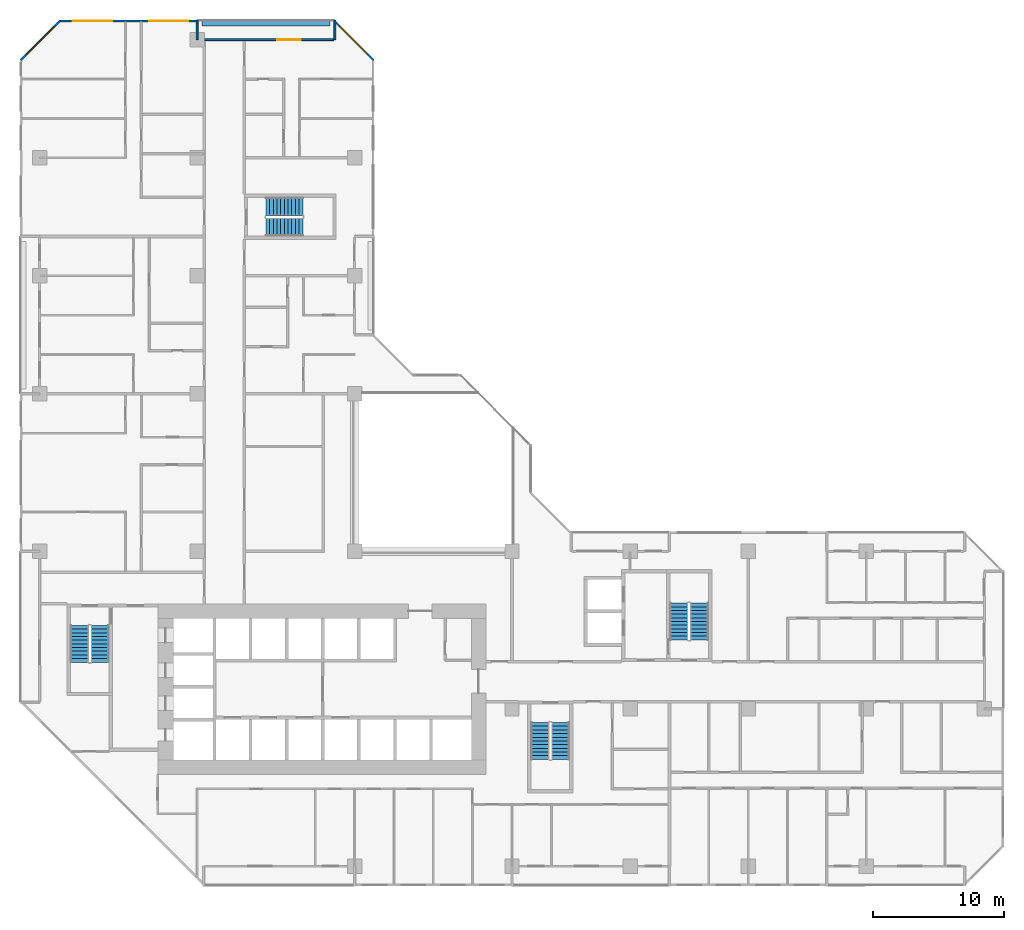
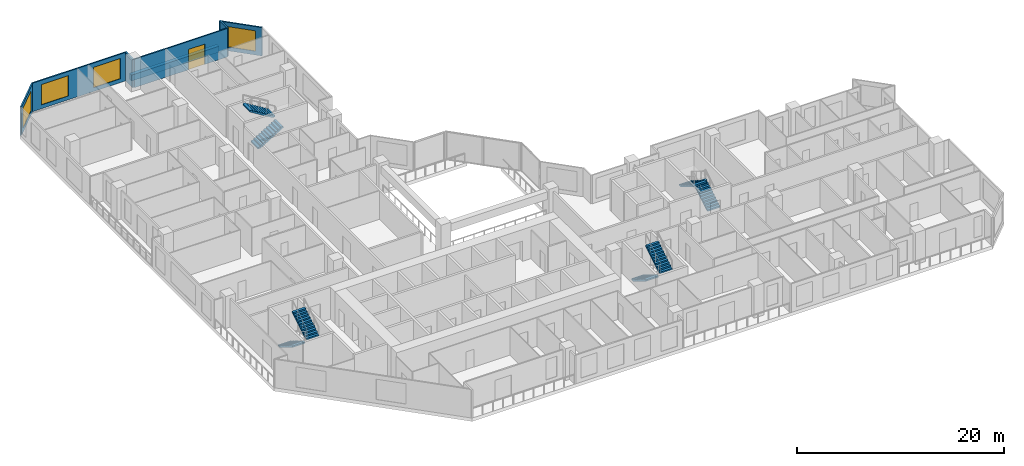
# One storey, part 14 of 16: 8 stair flights, 7 walls, 4 windows, 1 door, 5 openings, 4 elements without a shape of their own.
"""IFC4 building model written with IfcOpenShell, lengths in metres."""

import ifcopenshell
import ifcopenshell.guid

model = None  # the IFC model being written
_history = None  # IfcOwnerHistory: only IFC2X3 demands one
_inside = {}  # id of a spatial element -> (the spatial element, [elements in it])
_under = {}  # id of a project, library or spatial element -> (it, [spatial elements below it])
_declared = {}  # id of a project -> (the project, [libraries it declares])
_typed = {}  # id of a type object -> (the type object, [elements of that type])
_made_of = {}  # id of a material, layer set ... -> (it, [elements and type objects made of it])


def new_model(schema):
    """Start an empty IFC model of exactly this schema.

    Asked for "IFC4X3", IfcOpenShell would pick the latest addendum, in which some entities
    have other attributes; the version numbers below select the first issue.
    IFC2X3 requires an IfcOwnerHistory on every rooted entity: one is made here for all.
    """
    global model, _history
    if schema == "IFC4X3":
        model = ifcopenshell.file(schema_version=(4, 3, 0, 0))
    else:
        model = ifcopenshell.file(schema=schema)
    _inside.clear()
    _under.clear()
    _declared.clear()
    _typed.clear()
    _made_of.clear()
    _history = None
    if model.schema == "IFC2X3":
        org = make("IfcOrganization", Name="unknown")
        user = make(
            "IfcPersonAndOrganization",
            ThePerson=make("IfcPerson", FamilyName="unknown"),
            TheOrganization=org,
        )
        app = make(
            "IfcApplication",
            ApplicationDeveloper=org,
            Version="unknown",
            ApplicationFullName="unknown",
            ApplicationIdentifier="unknown",
        )
        _history = make(
            "IfcOwnerHistory",
            OwningUser=user,
            OwningApplication=app,
            ChangeAction="ADDED",
            CreationDate=0,
        )
    return model


def make(cls, **values):
    """One entity of the class cls with the attributes given. An attribute that is None is left unset."""
    return model.create_entity(
        cls, **{name: value for name, value in values.items() if value is not None}
    )


def rooted(cls, **values):
    """An entity with a GlobalId (a new one), such as an element, a storey or a relation."""
    return make(cls, GlobalId=ifcopenshell.guid.new(), OwnerHistory=_history, **values)


def si_unit(unit_type, name, prefix=None):
    """IfcSIUnit, for example si_unit("LENGTHUNIT", "METRE", prefix="MILLI")."""
    return make("IfcSIUnit", UnitType=unit_type, Prefix=prefix, Name=name)


def assignment(units):
    """IfcUnitAssignment: the units of a project."""
    return None if units is None else make("IfcUnitAssignment", Units=units)


def point(xyz):
    """IfcCartesianPoint."""
    return None if xyz is None else make("IfcCartesianPoint", Coordinates=xyz)


def direction(xyz):
    """IfcDirection."""
    return None if xyz is None else make("IfcDirection", DirectionRatios=xyz)


def frame(location, z_axis=None, x_axis=None):
    """IfcAxis2Placement3D, a coordinate frame: its origin and axes. An axis left out is left unset."""
    return make(
        "IfcAxis2Placement3D",
        Location=point(location),
        Axis=direction(z_axis),
        RefDirection=direction(x_axis),
    )


def frame_2d(location, x_axis=None):
    """IfcAxis2Placement2D, a coordinate frame in the plane: its origin and x axis."""
    return make(
        "IfcAxis2Placement2D", Location=point(location), RefDirection=direction(x_axis)
    )


def origin():
    """The frame at (0, 0, 0) with its axes left unset."""
    return frame((0.0, 0.0, 0.0))


def place(relative_to, where):
    """IfcLocalPlacement: puts the frame where relative to a parent placement (None: the world)."""
    return make(
        "IfcLocalPlacement", PlacementRelTo=relative_to, RelativePlacement=where
    )


def context(
    kind, dimensions, precision=None, world=None, true_north=None, identifier=None
):
    """IfcGeometricRepresentationContext, for example the 3D "Model" context."""
    return make(
        "IfcGeometricRepresentationContext",
        ContextIdentifier=identifier,
        ContextType=kind,
        CoordinateSpaceDimension=dimensions,
        Precision=precision,
        WorldCoordinateSystem=world,
        TrueNorth=true_north,
    )


def subcontext(parent, identifier, kind, view, scale=None):
    """IfcGeometricRepresentationSubContext, for example "Body" below "Model"."""
    return make(
        "IfcGeometricRepresentationSubContext",
        ContextIdentifier=identifier,
        ContextType=kind,
        ParentContext=parent,
        TargetScale=scale,
        TargetView=view,
    )


def project(units=None, contexts=None):
    """IfcProject with its units and contexts."""
    return rooted(
        "IfcProject",
        Name="project",
        RepresentationContexts=contexts,
        UnitsInContext=assignment(units),
    )


def spatial(cls, under=None, at=None, **own):
    """A site, building, storey or space (cls), placed at a placement, below another one or the project."""
    s = rooted(cls, ObjectPlacement=at, **own)
    if under is not None:
        _under.setdefault(under.id(), (under, []))[1].append(s)
    return s


def polyline(points):
    """IfcPolyline through the points."""
    return make("IfcPolyline", Points=[point(p) for p in points])


def profile(cls, at=None, kind="AREA", **sizes):
    """A parametric profile (cls). Its sizes go by their IFC names, for example OverallWidth=200.0."""
    return make(cls, ProfileType=kind, Position=at, **sizes)


def rectangle(**sizes):
    """IfcRectangleProfileDef."""
    return profile("IfcRectangleProfileDef", **sizes)


def outline(outer, holes=None, kind="AREA"):
    """IfcArbitraryClosedProfileDef: a profile drawn as a closed curve; with holes, ...WithVoids."""
    if holes is None:
        return make("IfcArbitraryClosedProfileDef", ProfileType=kind, OuterCurve=outer)
    return make(
        "IfcArbitraryProfileDefWithVoids",
        ProfileType=kind,
        OuterCurve=outer,
        InnerCurves=holes,
    )


def extrude(swept, where, along, depth):
    """IfcExtrudedAreaSolid: the profile swept, set in the frame where, extruded along a direction by depth."""
    return make(
        "IfcExtrudedAreaSolid",
        SweptArea=swept,
        Position=where,
        ExtrudedDirection=direction(along),
        Depth=depth,
    )


def shape(context_of_items, identifier, shape_type, items):
    """IfcShapeRepresentation: the items that make up one representation, for example the "Body"."""
    return make(
        "IfcShapeRepresentation",
        ContextOfItems=context_of_items,
        RepresentationIdentifier=identifier,
        RepresentationType=shape_type,
        Items=items,
    )


def material(Name=None, Category=None):
    """IfcMaterial."""
    return make("IfcMaterial", Name=Name, Category=Category)


def layer(
    of_material, thickness, ventilated=None, Name=None, Category=None, Priority=None
):
    """IfcMaterialLayer: one layer of a wall or slab, of a material (None: an air gap)."""
    return make(
        "IfcMaterialLayer",
        Material=of_material,
        LayerThickness=thickness,
        IsVentilated=ventilated,
        Name=Name,
        Category=Category,
        Priority=Priority,
    )


def layer_set(layers, Name=None):
    """IfcMaterialLayerSet."""
    return make("IfcMaterialLayerSet", MaterialLayers=layers, LayerSetName=Name)


def made_of(thing, what):
    """Note that an element or type object is made of a material, layer set ...; save() writes the relation."""
    if what is not None:
        _made_of.setdefault(what.id(), (what, []))[1].append(thing)
    return thing


def type_object(cls, material=None, **own):
    """A type object (cls), such as IfcWallType, which elements share."""
    return made_of(rooted(cls, **own), material)


def element(
    cls,
    number,
    at=None,
    inside=None,
    cuts=None,
    type_object=None,
    material=None,
    context=None,
    identifier="Body",
    shape_type=None,
    held_by="IfcProductDefinitionShape",
    body=None,
    shapes=None,
    **own,
):
    """One element of the class cls, such as IfcWall. Its Tag is "e" and its number.

    at: its placement. inside: the storey or other place that contains it. cuts: it is an
    opening in that element (IfcRelVoidsElement). A single representation is given by context,
    identifier, shape_type and body (its items); several are given by shapes. held_by: the class
    of the entity that holds the representations. save() writes the other relations.
    """
    e = rooted(cls, Tag="e%d" % number, ObjectPlacement=at, **own)
    if body is not None:
        shapes = [shape(context, identifier, shape_type, body)]
    if shapes is not None:
        e.Representation = make(held_by, Representations=shapes)
    if inside is not None:
        _inside.setdefault(inside.id(), (inside, []))[1].append(e)
    if cuts is not None:
        rooted(
            "IfcRelVoidsElement", RelatingBuildingElement=cuts, RelatedOpeningElement=e
        )
    if type_object is not None:
        _typed.setdefault(type_object.id(), (type_object, []))[1].append(e)
    return made_of(e, material)


def fill(opening, filler):
    """IfcRelFillsElement: the door or window that sits in an opening."""
    return rooted(
        "IfcRelFillsElement",
        RelatingOpeningElement=opening,
        RelatedBuildingElement=filler,
    )


def aggregate(whole, parts):
    """IfcRelAggregates: a whole, such as a stair, and the parts it consists of."""
    return rooted("IfcRelAggregates", RelatingObject=whole, RelatedObjects=parts)


def save(model, path):
    """Write the relations noted so far, then the file.

    IfcRelAggregates (storeys below a building ...), IfcRelContainedInSpatialStructure (elements
    in a storey), IfcRelDefinesByType, IfcRelAssociatesMaterial and IfcRelDeclares: one each for
    every whole, place, type object, material and project.
    """
    for whole, parts in _under.values():
        aggregate(whole, parts)
    for where, things in _inside.values():
        rooted(
            "IfcRelContainedInSpatialStructure",
            RelatedElements=things,
            RelatingStructure=where,
        )
    for kind, things in _typed.values():
        rooted("IfcRelDefinesByType", RelatedObjects=things, RelatingType=kind)
    for what, things in _made_of.values():
        rooted("IfcRelAssociatesMaterial", RelatedObjects=things, RelatingMaterial=what)
    for by, libraries in _declared.values():
        rooted("IfcRelDeclares", RelatingContext=by, RelatedDefinitions=libraries)
    model.write(path)


model = new_model("IFC4")

# Units and contexts
model_context = context("Model", 3, precision=1e-05, world=origin(), true_north=direction((0.0, 1.0)))
body_context = subcontext(model_context, "Body", "Model", "MODEL_VIEW")
ifc_project = project(units=[si_unit("LENGTHUNIT", "METRE"), si_unit("AREAUNIT", "SQUARE_METRE"), si_unit("VOLUMEUNIT", "CUBIC_METRE"), si_unit("PLANEANGLEUNIT", "RADIAN"), si_unit("MASSUNIT", "GRAM", prefix="KILO")], contexts=[model_context])

# Site, building, storey
site_placement = place(None, origin())
site = spatial("IfcSite", under=ifc_project, at=site_placement, CompositionType="ELEMENT")
building_placement = place(site_placement, origin())
building = spatial("IfcBuilding", under=site, at=building_placement, Name="Chenar Terraces", CompositionType="ELEMENT")
storey_placement = place(building_placement, frame((0.0, 0.0, 75.14990234375)))
storey = spatial("IfcBuildingStorey", under=building, at=storey_placement, Name="L16", CompositionType="ELEMENT", Elevation=75.14990234375)

# Wall, openings, windows
ifc_material_1 = material(Name="Aluminium framed glazing", Category="aluminium")
ifc_layer_1 = layer(ifc_material_1, 0.14990234375)
ifc_layer_set_1 = layer_set([ifc_layer_1], Name="Aluminium framed glazing")
wall_type_1 = type_object("IfcWallType", Name="Glazed flush facade wall 150", PredefinedType="SOLIDWALL", material=ifc_layer_set_1)
wall_1_placement = place(storey_placement, frame((11.925048828125, 64.425048828125, 0.0), z_axis=(0.0, 0.0, 1.0), x_axis=(-1.0, 0.0, 0.0)))
wall_1 = element("IfcWall", 1, at=wall_1_placement, inside=storey, type_object=wall_type_1, Name="Glazed flush facade wall", PredefinedType="SOLIDWALL", context=body_context, shape_type="SweptSolid", body=[
    extrude(rectangle(XDim=10.425048828125, YDim=0.14990234375, at=frame_2d((5.21240234375, 0.0))), origin(), (0.0, 0.0, 1.0), 3.35009765625),
])
opening_1_placement = place(wall_1_placement, frame((0.58740234375, 0.0, 0.449951171875)))
opening_1 = element("IfcOpeningElement", 2, at=opening_1_placement, cuts=wall_1, Name="Opening W300x240", PredefinedType="OPENING", context=body_context, shape_type="SweptSolid", body=[
    extrude(rectangle(XDim=3.0, YDim=2.39990234375, at=frame_2d((1.5, 1.199951171875))), frame((0.0, 0.0849609375, 0.0), z_axis=(0.0, -1.0, 0.0), x_axis=(1.0, 0.0, 0.0)), (0.0, 0.0, 1.0), 0.169921875),
])
opening_2_placement = place(wall_1_placement, frame((6.39990234375, 0.0, 0.449951171875)))
opening_2 = element("IfcOpeningElement", 3, at=opening_2_placement, cuts=wall_1, Name="Opening W300x240", PredefinedType="OPENING", context=body_context, shape_type="SweptSolid", body=[
    extrude(rectangle(XDim=3.0, YDim=2.39990234375, at=frame_2d((1.5, 1.199951171875))), frame((0.0, 0.0849609375, 0.0), z_axis=(0.0, -1.0, 0.0), x_axis=(1.0, 0.0, 0.0)), (0.0, 0.0, 1.0), 0.169921875),
])
ifc_material_2 = material(Name="Low emissivity double glazing, aluminium frame", Category="aluminium")
window_type = type_object("IfcWindowType", Name="Fixed light 3000 x 2400", PartitioningType="SINGLE_PANEL", PredefinedType="WINDOW", material=ifc_material_2)
window_1_placement = place(opening_1_placement, origin())
window_1 = element("IfcWindow", 4, at=window_1_placement, inside=storey, type_object=window_type, Name="Window", OverallHeight=2.39990234375, OverallWidth=3.0, PartitioningType="SINGLE_PANEL", PredefinedType="WINDOW", context=body_context, shape_type="SweptSolid", body=[
    extrude(rectangle(XDim=3.0, YDim=2.39990234375, at=frame_2d((1.5, 1.199951171875))), frame((0.0, 0.030029296875, 0.0), z_axis=(0.0, -1.0, 0.0), x_axis=(1.0, 0.0, 0.0)), (0.0, 0.0, 1.0), 0.06005859375),
])
fill(opening_1, window_1)
window_2_placement = place(opening_2_placement, origin())
window_2 = element("IfcWindow", 5, at=window_2_placement, inside=storey, type_object=window_type, Name="Window", OverallHeight=2.39990234375, OverallWidth=3.0, PartitioningType="SINGLE_PANEL", PredefinedType="WINDOW", context=body_context, shape_type="SweptSolid", body=[
    extrude(rectangle(XDim=3.0, YDim=2.39990234375, at=frame_2d((1.5, 1.199951171875))), frame((0.0, 0.030029296875, 0.0), z_axis=(0.0, -1.0, 0.0), x_axis=(1.0, 0.0, 0.0)), (0.0, 0.0, 1.0), 0.06005859375),
])
fill(opening_2, window_2)

# Wall, opening, door
ifc_material_3 = material(Name="Aluminium framed glazing", Category="aluminium")
ifc_layer_2 = layer(ifc_material_3, 0.14990234375)
ifc_layer_set_2 = layer_set([ifc_layer_2], Name="Aluminium framed glazing")
wall_type_2 = type_object("IfcWallType", Name="Glazed loggia back wall 150", PredefinedType="SOLIDWALL", material=ifc_layer_set_2)
wall_2_placement = place(storey_placement, frame((22.425048828125, 63.0, 0.0), z_axis=(0.0, 0.0, 1.0), x_axis=(-1.0, 0.0, 0.0)))
wall_2 = element("IfcWall", 6, at=wall_2_placement, inside=storey, type_object=wall_type_2, Name="Glazed loggia back wall", PredefinedType="SOLIDWALL", context=body_context, shape_type="SweptSolid", body=[
    extrude(rectangle(XDim=10.35009765625, YDim=0.14990234375, at=frame_2d((5.175048828125, 0.0))), origin(), (0.0, 0.0, 1.0), 3.35009765625),
])
opening_3_placement = place(wall_2_placement, frame((2.512451171875, 0.0, 0.0)))
opening_3 = element("IfcOpeningElement", 7, at=opening_3_placement, cuts=wall_2, Name="Opening DL16-G2", PredefinedType="OPENING", context=body_context, shape_type="SweptSolid", body=[
    extrude(rectangle(XDim=1.800048828125, YDim=2.39990234375, at=frame_2d((0.89990234375, 1.199951171875))), frame((0.0, 0.0849609375, 0.0), z_axis=(0.0, -1.0, 0.0), x_axis=(1.0, 0.0, 0.0)), (0.0, 0.0, 1.0), 0.169921875),
])
ifc_material_4 = material(Name="Low emissivity double glazing, aluminium frame", Category="aluminium")
door_type = type_object("IfcDoorType", Name="Loggia glazed double door 1800 x 2400", OperationType="DOUBLE_DOOR_SINGLE_SWING", PredefinedType="DOOR", material=ifc_material_4)
door_placement = place(opening_3_placement, frame((1.800048828125, 0.0, 0.0), z_axis=(0.0, 0.0, 1.0), x_axis=(-1.0, 0.0, 0.0)))
door = element("IfcDoor", 8, at=door_placement, inside=storey, type_object=door_type, Name="Loggia glazed door", OperationType="DOUBLE_DOOR_SINGLE_SWING", OverallHeight=2.39990234375, OverallWidth=1.800048828125, PredefinedType="DOOR", context=body_context, shape_type="SweptSolid", body=[
    extrude(rectangle(XDim=1.800048828125, YDim=2.39990234375, at=frame_2d((0.89990234375, 1.199951171875))), frame((0.0, 0.02490234375, 0.0), z_axis=(0.0, -1.0, 0.0), x_axis=(1.0, 0.0, 0.0)), (0.0, 0.0, 1.0), 0.050048828125),
])
fill(opening_3, door)

# Walls
ifc_material_5 = material(Name="Terracotta cladding on insulated backing", Category="masonry")
ifc_layer_3 = layer(ifc_material_5, 0.14990234375)
ifc_layer_set_3 = layer_set([ifc_layer_3], Name="Terracotta cladding on insulated backing")
wall_type_3 = type_object("IfcWallType", Name="Loggia return wall 150", PredefinedType="SOLIDWALL", material=ifc_layer_set_3)
for number, where, z_axis, x_axis, name in (
    (9, (22.5, 64.5, 0.0), (0.0, 0.0, 1.0), (0.0, -1.0, 0.0), "Loggia return wall"),
    (10, (12.0, 64.5, 0.0), (0.0, 0.0, 1.0), (0.0, -1.0, 0.0), "Loggia return wall"),
):
    element("IfcWall", number, at=place(storey_placement, frame(where, z_axis=z_axis, x_axis=x_axis)), inside=storey, type_object=wall_type_3, Name=name, PredefinedType="SOLIDWALL", context=body_context, shape_type="SweptSolid", body=[
        extrude(rectangle(XDim=1.5, YDim=0.14990234375, at=frame_2d((0.75, 0.0))), origin(), (0.0, 0.0, 1.0), 3.35009765625),
    ])

# Wall, opening, window
ifc_material_6 = material(Name="Terracotta cladding on insulated backing", Category="masonry")
ifc_layer_4 = layer(ifc_material_6, 0.14990234375)
ifc_layer_set_4 = layer_set([ifc_layer_4], Name="Terracotta cladding on insulated backing")
wall_type_4 = type_object("IfcWallType", Name="Terracotta rainscreen wall 150", PredefinedType="SOLIDWALL", material=ifc_layer_set_4)
wall_3_placement = place(storey_placement, frame((25.447021484375, 61.447021484375, 0.0), z_axis=(0.0, 0.0, 1.0), x_axis=(-0.707106781187, 0.707106781187, 0.0)))
wall_3 = element("IfcWall", 11, at=wall_3_placement, inside=storey, type_object=wall_type_4, Name="Terracotta rainscreen wall", PredefinedType="SOLIDWALL", context=body_context, shape_type="SweptSolid", body=[
    extrude(rectangle(XDim=4.24267578125, YDim=0.14990234375, at=frame_2d((2.121337890625, 0.0))), origin(), (0.0, 0.0, 1.0), 3.35009765625),
])
opening_4_placement = place(wall_3_placement, frame((0.621337890625, 0.0, 0.449951171875)))
opening_4 = element("IfcOpeningElement", 12, at=opening_4_placement, cuts=wall_3, Name="Opening W300x240", PredefinedType="OPENING", context=body_context, shape_type="SweptSolid", body=[
    extrude(rectangle(XDim=3.0, YDim=2.39990234375, at=frame_2d((1.5, 1.199951171875))), frame((0.0, 0.0849609375, 0.0), z_axis=(0.0, -1.0, 0.0), x_axis=(1.0, 0.0, 0.0)), (0.0, 0.0, 1.0), 0.169921875),
])
window_3_placement = place(opening_4_placement, origin())
window_3 = element("IfcWindow", 13, at=window_3_placement, inside=storey, type_object=window_type, Name="Window", OverallHeight=2.39990234375, OverallWidth=3.0, PartitioningType="SINGLE_PANEL", PredefinedType="WINDOW", context=body_context, shape_type="SweptSolid", body=[
    extrude(rectangle(XDim=3.0, YDim=2.39990234375, at=frame_2d((1.5, 1.199951171875))), frame((0.0, 0.030029296875, 0.0), z_axis=(0.0, -1.0, 0.0), x_axis=(1.0, 0.0, 0.0)), (0.0, 0.0, 1.0), 0.06005859375),
])
fill(opening_4, window_3)

wall_4_placement = place(storey_placement, frame((1.552978515625, 64.447021484375, 0.0), z_axis=(0.0, 0.0, 1.0), x_axis=(-0.707106781187, -0.707106781187, 0.0)))
wall_4 = element("IfcWall", 14, at=wall_4_placement, inside=storey, type_object=wall_type_4, Name="Terracotta rainscreen wall", PredefinedType="SOLIDWALL", context=body_context, shape_type="SweptSolid", body=[
    extrude(rectangle(XDim=4.24267578125, YDim=0.14990234375, at=frame_2d((2.121337890625, 0.0))), origin(), (0.0, 0.0, 1.0), 3.35009765625),
])
opening_5_placement = place(wall_4_placement, frame((0.621337890625, 0.0, 0.449951171875)))
opening_5 = element("IfcOpeningElement", 15, at=opening_5_placement, cuts=wall_4, Name="Opening W300x240", PredefinedType="OPENING", context=body_context, shape_type="SweptSolid", body=[
    extrude(rectangle(XDim=3.0, YDim=2.39990234375, at=frame_2d((1.5, 1.199951171875))), frame((0.0, 0.0849609375, 0.0), z_axis=(0.0, -1.0, 0.0), x_axis=(1.0, 0.0, 0.0)), (0.0, 0.0, 1.0), 0.169921875),
])
window_4_placement = place(opening_5_placement, origin())
window_4 = element("IfcWindow", 16, at=window_4_placement, inside=storey, type_object=window_type, Name="Window", OverallHeight=2.39990234375, OverallWidth=3.0, PartitioningType="SINGLE_PANEL", PredefinedType="WINDOW", context=body_context, shape_type="SweptSolid", body=[
    extrude(rectangle(XDim=3.0, YDim=2.39990234375, at=frame_2d((1.5, 1.199951171875))), frame((0.0, 0.030029296875, 0.0), z_axis=(0.0, -1.0, 0.0), x_axis=(1.0, 0.0, 0.0)), (0.0, 0.0, 1.0), 0.06005859375),
])
fill(opening_5, window_4)

# Wall
ifc_material_7 = material(Name="GRP planter trough")
ifc_layer_5 = layer(ifc_material_7, 0.39990234375)
ifc_layer_set_5 = layer_set([ifc_layer_5], Name="GRP planter trough")
wall_type_5 = type_object("IfcWallType", Name="Vertical greenery planter 400", PredefinedType="SOLIDWALL", material=ifc_layer_set_5)
wall_5_placement = place(storey_placement, frame((22.125, 64.22900390625, 0.0), z_axis=(0.0, 0.0, 1.0), x_axis=(-1.0, 0.0, 0.0)))
element("IfcWall", 17, at=wall_5_placement, inside=storey, type_object=wall_type_5, Name="Vertical greenery planter", PredefinedType="SOLIDWALL", context=body_context, shape_type="SweptSolid", body=[
    extrude(rectangle(XDim=9.75, YDim=0.39990234375, at=frame_2d((4.875, 0.0))), origin(), (0.0, 0.0, 1.0), 0.7001953125),
])

# Stair, stair flights
ifc_material_8 = material(Name="Reinforced concrete C40/50", Category="concrete")
stair_type = type_object("IfcStairType", Name="Core stair 1400 half-turn", PredefinedType="HALF_TURN_STAIR", material=ifc_material_8)
placement = place(storey_placement, origin())
stair_1 = element("IfcStair", 18, at=placement, inside=storey, type_object=stair_type, Name="L16 Stair 1", PredefinedType="HALF_TURN_STAIR")
ifc_material_9 = material(Name="Reinforced concrete C40/50", Category="concrete")
stair_flight_type = type_object("IfcStairFlightType", Name="Core stair flight 1400", PredefinedType="STRAIGHT", material=ifc_material_9)
stair_flight_1_placement = place(storey_placement, frame((3.050048828125, 18.35009765625, 0.0), z_axis=(0.0, 0.0, 1.0), x_axis=(0.0, -1.0, 0.0)))
stair_flight_1 = element("IfcStairFlight", 19, at=stair_flight_1_placement, type_object=stair_flight_type, Name="ST1 flight 1", NumberOfRisers=11, NumberOfTreads=10, PredefinedType="STRAIGHT", RiserHeight=0.170454545, TreadLength=0.28, context=body_context, shape_type="SweptSolid", body=[
    extrude(outline(polyline([(-0.0029296875, 0.0), (-0.0029296875, 0.17041015625), (0.0, 0.17041015625), (0.280029296875, 0.17041015625), (0.280029296875, 0.3408203125), (0.56005859375, 0.3408203125), (0.56005859375, 0.511474609375), (0.840087890625, 0.511474609375), (0.840087890625, 0.681884765625), (1.1201171875, 0.681884765625), (1.1201171875, 0.852294921875), (1.39990234375, 0.852294921875), (1.39990234375, 1.022705078125), (1.679931640625, 1.022705078125), (1.679931640625, 1.193115234375), (1.9599609375, 1.193115234375), (1.9599609375, 1.363525390625), (2.239990234375, 1.363525390625), (2.239990234375, 1.5341796875), (2.52001953125, 1.5341796875), (2.52001953125, 1.70458984375), (2.800048828125, 1.70458984375), (2.802978515625, 1.70458984375), (2.802978515625, 1.529052734375), (2.800048828125, 1.529052734375), (0.288330078125, 0.0), (-0.0029296875, 0.0)])), frame((0.0, 0.699951171875, 0.0), z_axis=(0.0, -1.0, 0.0), x_axis=(1.0, 0.0, 0.0)), (0.0, 0.0, 1.0), 1.39990234375),
])
stair_flight_2_placement = place(storey_placement, frame((4.60009765625, 15.550048828125, 1.875), z_axis=(0.0, 0.0, 1.0), x_axis=(0.0, 1.0, 0.0)))
stair_flight_2 = element("IfcStairFlight", 20, at=stair_flight_2_placement, type_object=stair_flight_type, Name="ST1 flight 2", NumberOfRisers=11, NumberOfTreads=10, PredefinedType="STRAIGHT", RiserHeight=0.170454545, TreadLength=0.28, context=body_context, shape_type="SweptSolid", body=[
    extrude(outline(polyline([(-0.0029296875, 0.0), (-0.0029296875, 0.17041015625), (0.0, 0.17041015625), (0.280029296875, 0.17041015625), (0.280029296875, 0.3408203125), (0.56005859375, 0.3408203125), (0.56005859375, 0.511474609375), (0.840087890625, 0.511474609375), (0.840087890625, 0.681884765625), (1.1201171875, 0.681884765625), (1.1201171875, 0.852294921875), (1.39990234375, 0.852294921875), (1.39990234375, 1.022705078125), (1.679931640625, 1.022705078125), (1.679931640625, 1.193115234375), (1.9599609375, 1.193115234375), (1.9599609375, 1.363525390625), (2.239990234375, 1.363525390625), (2.239990234375, 1.5341796875), (2.52001953125, 1.5341796875), (2.52001953125, 1.70458984375), (2.800048828125, 1.70458984375), (2.802978515625, 1.70458984375), (2.802978515625, 1.529052734375), (2.800048828125, 1.529052734375), (0.288330078125, 0.0), (-0.0029296875, 0.0)])), frame((0.0, 0.699951171875, 0.0), z_axis=(0.0, -1.0, 0.0), x_axis=(1.0, 0.0, 0.0)), (0.0, 0.0, 1.0), 1.39990234375),
])
aggregate(stair_1, [stair_flight_1, stair_flight_2])

stair_2 = element("IfcStair", 21, at=placement, inside=storey, type_object=stair_type, Name="L16 Stair 2", PredefinedType="HALF_TURN_STAIR")
stair_flight_3_placement = place(storey_placement, frame((38.14990234375, 10.949951171875, 0.0), z_axis=(0.0, 0.0, 1.0), x_axis=(0.0, -1.0, 0.0)))
stair_flight_3 = element("IfcStairFlight", 22, at=stair_flight_3_placement, type_object=stair_flight_type, Name="ST2 flight 1", NumberOfRisers=11, NumberOfTreads=10, PredefinedType="STRAIGHT", RiserHeight=0.170454545, TreadLength=0.28, context=body_context, shape_type="SweptSolid", body=[
    extrude(outline(polyline([(-0.0029296875, 0.0), (-0.0029296875, 0.17041015625), (0.0, 0.17041015625), (0.280029296875, 0.17041015625), (0.280029296875, 0.3408203125), (0.56005859375, 0.3408203125), (0.56005859375, 0.511474609375), (0.840087890625, 0.511474609375), (0.840087890625, 0.681884765625), (1.1201171875, 0.681884765625), (1.1201171875, 0.852294921875), (1.39990234375, 0.852294921875), (1.39990234375, 1.022705078125), (1.679931640625, 1.022705078125), (1.679931640625, 1.193115234375), (1.9599609375, 1.193115234375), (1.9599609375, 1.363525390625), (2.239990234375, 1.363525390625), (2.239990234375, 1.5341796875), (2.52001953125, 1.5341796875), (2.52001953125, 1.70458984375), (2.800048828125, 1.70458984375), (2.802978515625, 1.70458984375), (2.802978515625, 1.529052734375), (2.800048828125, 1.529052734375), (0.288330078125, 0.0), (-0.0029296875, 0.0)])), frame((0.0, 0.699951171875, 0.0), z_axis=(0.0, -1.0, 0.0), x_axis=(1.0, 0.0, 0.0)), (0.0, 0.0, 1.0), 1.39990234375),
])
stair_flight_4_placement = place(storey_placement, frame((39.699951171875, 8.14990234375, 1.875), z_axis=(0.0, 0.0, 1.0), x_axis=(0.0, 1.0, 0.0)))
stair_flight_4 = element("IfcStairFlight", 23, at=stair_flight_4_placement, type_object=stair_flight_type, Name="ST2 flight 2", NumberOfRisers=11, NumberOfTreads=10, PredefinedType="STRAIGHT", RiserHeight=0.170454545, TreadLength=0.28, context=body_context, shape_type="SweptSolid", body=[
    extrude(outline(polyline([(-0.0029296875, 0.0), (-0.0029296875, 0.17041015625), (0.0, 0.17041015625), (0.280029296875, 0.17041015625), (0.280029296875, 0.3408203125), (0.56005859375, 0.3408203125), (0.56005859375, 0.511474609375), (0.840087890625, 0.511474609375), (0.840087890625, 0.681884765625), (1.1201171875, 0.681884765625), (1.1201171875, 0.852294921875), (1.39990234375, 0.852294921875), (1.39990234375, 1.022705078125), (1.679931640625, 1.022705078125), (1.679931640625, 1.193115234375), (1.9599609375, 1.193115234375), (1.9599609375, 1.363525390625), (2.239990234375, 1.363525390625), (2.239990234375, 1.5341796875), (2.52001953125, 1.5341796875), (2.52001953125, 1.70458984375), (2.800048828125, 1.70458984375), (2.802978515625, 1.70458984375), (2.802978515625, 1.529052734375), (2.800048828125, 1.529052734375), (0.288330078125, 0.0), (-0.0029296875, 0.0)])), frame((0.0, 0.699951171875, 0.0), z_axis=(0.0, -1.0, 0.0), x_axis=(1.0, 0.0, 0.0)), (0.0, 0.0, 1.0), 1.39990234375),
])
aggregate(stair_2, [stair_flight_3, stair_flight_4])

stair_3 = element("IfcStair", 24, at=placement, inside=storey, type_object=stair_type, Name="L16 Stair 3", PredefinedType="HALF_TURN_STAIR")
stair_flight_5_placement = place(storey_placement, frame((50.27490234375, 17.25, 0.0), z_axis=(0.0, 0.0, 1.0), x_axis=(0.0, 1.0, 0.0)))
stair_flight_5 = element("IfcStairFlight", 25, at=stair_flight_5_placement, type_object=stair_flight_type, Name="ST3 flight 1", NumberOfRisers=11, NumberOfTreads=10, PredefinedType="STRAIGHT", RiserHeight=0.170454545, TreadLength=0.28, context=body_context, shape_type="SweptSolid", body=[
    extrude(outline(polyline([(-0.0029296875, 0.0), (-0.0029296875, 0.17041015625), (0.0, 0.17041015625), (0.280029296875, 0.17041015625), (0.280029296875, 0.3408203125), (0.56005859375, 0.3408203125), (0.56005859375, 0.511474609375), (0.840087890625, 0.511474609375), (0.840087890625, 0.681884765625), (1.1201171875, 0.681884765625), (1.1201171875, 0.852294921875), (1.39990234375, 0.852294921875), (1.39990234375, 1.022705078125), (1.679931640625, 1.022705078125), (1.679931640625, 1.193115234375), (1.9599609375, 1.193115234375), (1.9599609375, 1.363525390625), (2.239990234375, 1.363525390625), (2.239990234375, 1.5341796875), (2.52001953125, 1.5341796875), (2.52001953125, 1.70458984375), (2.800048828125, 1.70458984375), (2.802978515625, 1.70458984375), (2.802978515625, 1.529052734375), (2.800048828125, 1.529052734375), (0.288330078125, 0.0), (-0.0029296875, 0.0)])), frame((0.0, 0.699951171875, 0.0), z_axis=(0.0, -1.0, 0.0), x_axis=(1.0, 0.0, 0.0)), (0.0, 0.0, 1.0), 1.39990234375),
])
stair_flight_6_placement = place(storey_placement, frame((48.72509765625, 20.050048828125, 1.875), z_axis=(0.0, 0.0, 1.0), x_axis=(0.0, -1.0, 0.0)))
stair_flight_6 = element("IfcStairFlight", 26, at=stair_flight_6_placement, type_object=stair_flight_type, Name="ST3 flight 2", NumberOfRisers=11, NumberOfTreads=10, PredefinedType="STRAIGHT", RiserHeight=0.170454545, TreadLength=0.28, context=body_context, shape_type="SweptSolid", body=[
    extrude(outline(polyline([(-0.0029296875, 0.0), (-0.0029296875, 0.17041015625), (0.0, 0.17041015625), (0.280029296875, 0.17041015625), (0.280029296875, 0.3408203125), (0.56005859375, 0.3408203125), (0.56005859375, 0.511474609375), (0.840087890625, 0.511474609375), (0.840087890625, 0.681884765625), (1.1201171875, 0.681884765625), (1.1201171875, 0.852294921875), (1.39990234375, 0.852294921875), (1.39990234375, 1.022705078125), (1.679931640625, 1.022705078125), (1.679931640625, 1.193115234375), (1.9599609375, 1.193115234375), (1.9599609375, 1.363525390625), (2.239990234375, 1.363525390625), (2.239990234375, 1.5341796875), (2.52001953125, 1.5341796875), (2.52001953125, 1.70458984375), (2.800048828125, 1.70458984375), (2.802978515625, 1.70458984375), (2.802978515625, 1.529052734375), (2.800048828125, 1.529052734375), (0.288330078125, 0.0), (-0.0029296875, 0.0)])), frame((0.0, 0.699951171875, 0.0), z_axis=(0.0, -1.0, 0.0), x_axis=(1.0, 0.0, 0.0)), (0.0, 0.0, 1.0), 1.39990234375),
])
aggregate(stair_3, [stair_flight_5, stair_flight_6])

stair_4 = element("IfcStair", 27, at=placement, inside=storey, type_object=stair_type, Name="L16 Stair 4", PredefinedType="HALF_TURN_STAIR")
stair_flight_7_placement = place(storey_placement, frame((17.25, 48.72509765625, 0.0), z_axis=(0.0, 0.0, 1.0), x_axis=(1.0, 0.0, 0.0)))
stair_flight_7 = element("IfcStairFlight", 28, at=stair_flight_7_placement, type_object=stair_flight_type, Name="ST4 flight 1", NumberOfRisers=11, NumberOfTreads=10, PredefinedType="STRAIGHT", RiserHeight=0.170454545, TreadLength=0.28, context=body_context, shape_type="SweptSolid", body=[
    extrude(outline(polyline([(-0.0029296875, 0.0), (-0.0029296875, 0.17041015625), (0.0, 0.17041015625), (0.280029296875, 0.17041015625), (0.280029296875, 0.3408203125), (0.56005859375, 0.3408203125), (0.56005859375, 0.511474609375), (0.840087890625, 0.511474609375), (0.840087890625, 0.681884765625), (1.1201171875, 0.681884765625), (1.1201171875, 0.852294921875), (1.39990234375, 0.852294921875), (1.39990234375, 1.022705078125), (1.679931640625, 1.022705078125), (1.679931640625, 1.193115234375), (1.9599609375, 1.193115234375), (1.9599609375, 1.363525390625), (2.239990234375, 1.363525390625), (2.239990234375, 1.5341796875), (2.52001953125, 1.5341796875), (2.52001953125, 1.70458984375), (2.800048828125, 1.70458984375), (2.802978515625, 1.70458984375), (2.802978515625, 1.529052734375), (2.800048828125, 1.529052734375), (0.288330078125, 0.0), (-0.0029296875, 0.0)])), frame((0.0, 0.699951171875, 0.0), z_axis=(0.0, -1.0, 0.0), x_axis=(1.0, 0.0, 0.0)), (0.0, 0.0, 1.0), 1.39990234375),
])
stair_flight_8_placement = place(storey_placement, frame((20.050048828125, 50.27490234375, 1.875), z_axis=(0.0, 0.0, 1.0), x_axis=(-1.0, 0.0, 0.0)))
stair_flight_8 = element("IfcStairFlight", 29, at=stair_flight_8_placement, type_object=stair_flight_type, Name="ST4 flight 2", NumberOfRisers=11, NumberOfTreads=10, PredefinedType="STRAIGHT", RiserHeight=0.170454545, TreadLength=0.28, context=body_context, shape_type="SweptSolid", body=[
    extrude(outline(polyline([(-0.0029296875, 0.0), (-0.0029296875, 0.17041015625), (0.0, 0.17041015625), (0.280029296875, 0.17041015625), (0.280029296875, 0.3408203125), (0.56005859375, 0.3408203125), (0.56005859375, 0.511474609375), (0.840087890625, 0.511474609375), (0.840087890625, 0.681884765625), (1.1201171875, 0.681884765625), (1.1201171875, 0.852294921875), (1.39990234375, 0.852294921875), (1.39990234375, 1.022705078125), (1.679931640625, 1.022705078125), (1.679931640625, 1.193115234375), (1.9599609375, 1.193115234375), (1.9599609375, 1.363525390625), (2.239990234375, 1.363525390625), (2.239990234375, 1.5341796875), (2.52001953125, 1.5341796875), (2.52001953125, 1.70458984375), (2.800048828125, 1.70458984375), (2.802978515625, 1.70458984375), (2.802978515625, 1.529052734375), (2.800048828125, 1.529052734375), (0.288330078125, 0.0), (-0.0029296875, 0.0)])), frame((0.0, 0.699951171875, 0.0), z_axis=(0.0, -1.0, 0.0), x_axis=(1.0, 0.0, 0.0)), (0.0, 0.0, 1.0), 1.39990234375),
])
aggregate(stair_4, [stair_flight_7, stair_flight_8])

save(model, "model.ifc")
